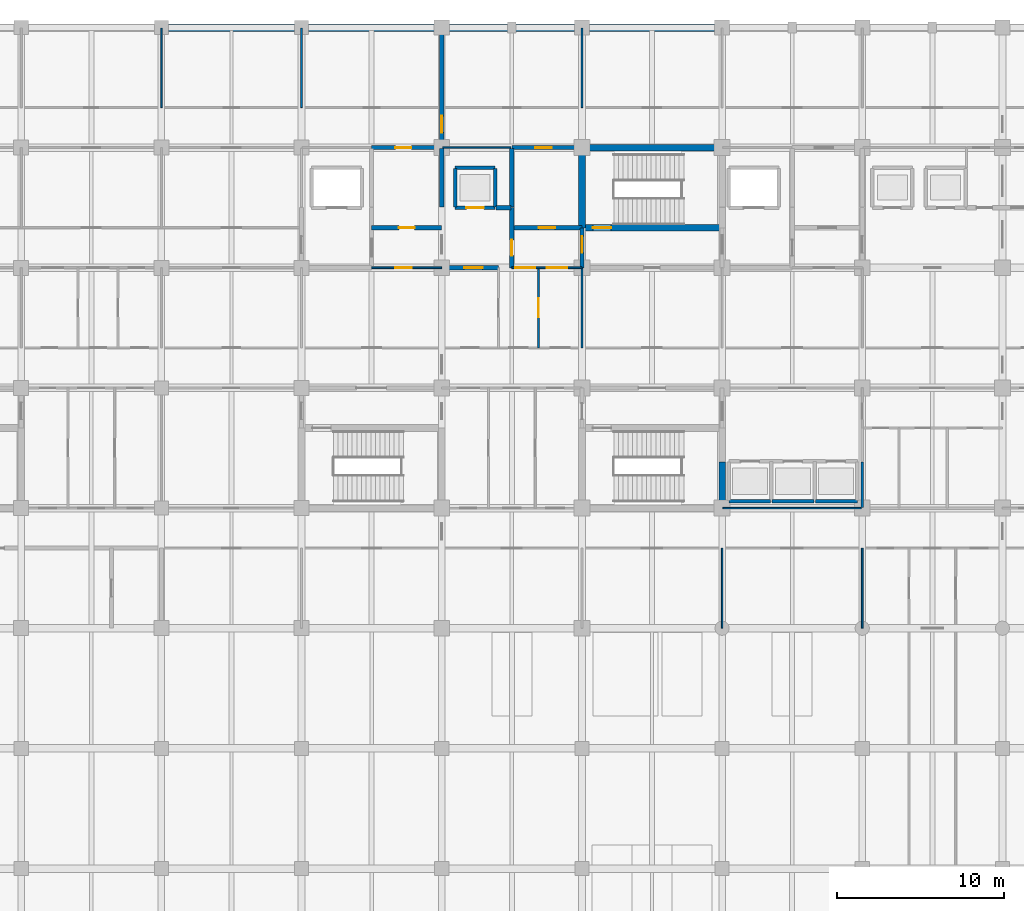
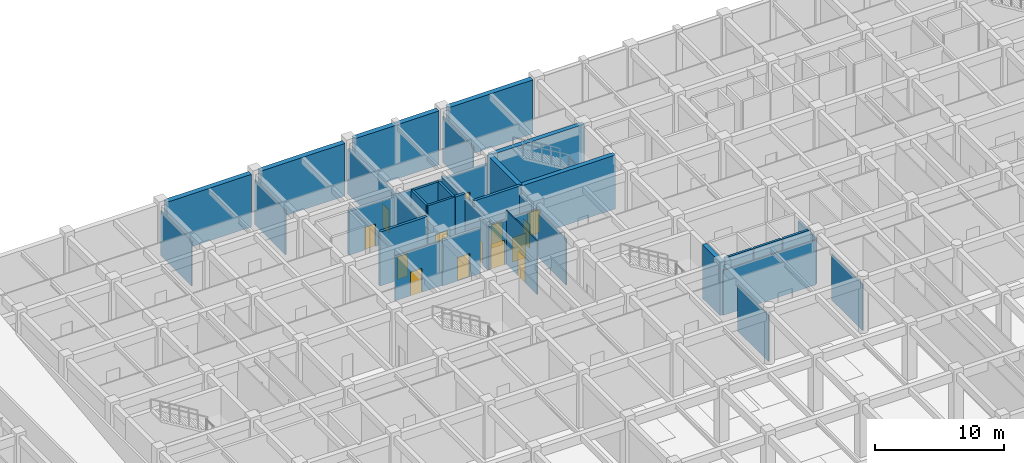
# One storey, part 23 of 48: 38 walls, 14 doors, 14 openings.
"""IFC4 building model written with IfcOpenShell, lengths in metres."""

from ifc_helpers import new_model, si_unit, direction, frame, frame_2d, origin, place, context, subcontext, project, spatial, rectangle, extrude, material, layer, layer_set, type_object, element, fill, save


model = new_model("IFC4")

# Units and contexts
model_context = context("Model", 3, precision=1e-05, world=origin(), true_north=direction((0.0, 1.0)))
body_context = subcontext(model_context, "Body", "Model", "MODEL_VIEW")
ifc_project = project(units=[si_unit("LENGTHUNIT", "METRE"), si_unit("AREAUNIT", "SQUARE_METRE"), si_unit("VOLUMEUNIT", "CUBIC_METRE"), si_unit("PLANEANGLEUNIT", "RADIAN"), si_unit("MASSUNIT", "GRAM", prefix="KILO")], contexts=[model_context])

# Site, building, storey
site_placement = place(None, origin())
site = spatial("IfcSite", under=ifc_project, at=site_placement, CompositionType="ELEMENT")
building_placement = place(site_placement, origin())
building = spatial("IfcBuilding", under=site, at=building_placement, Name="Chengyuan Square Courthouse", CompositionType="ELEMENT")
storey_placement = place(building_placement, frame((0.0, 0.0, -5.39990234375)))
storey = spatial("IfcBuildingStorey", under=building, at=storey_placement, Name="B01", CompositionType="ELEMENT", Elevation=-5.39990234375)

# Wall, opening, door
ifc_material_1 = material(Name="Concrete C40", Category="concrete")
ifc_layer_1 = layer(ifc_material_1, 0.25)
ifc_layer_set_1 = layer_set([ifc_layer_1], Name="Concrete C40")
wall_type_1 = type_object("IfcWallType", Name="WL-FW1", PredefinedType="STANDARD", material=ifc_layer_set_1)
wall_1_placement = place(storey_placement, frame((50.39990234375, 100.800048828125, 0.0), z_axis=(0.0, 0.0, 1.0), x_axis=(1.0, 0.0, 0.0)))
wall_1 = element("IfcWall", 1, at=wall_1_placement, inside=storey, type_object=wall_type_1, Name="Interior Wall WL-B01-I356", PredefinedType="STANDARD", context=body_context, shape_type="SweptSolid", body=[
    extrude(rectangle(XDim=3.400146484375, YDim=0.25, at=frame_2d((1.7001953125, 0.0))), origin(), (0.0, 0.0, 1.0), 4.25),
])
opening_1_placement = place(wall_1_placement, frame((1.347412109375, 0.0, 0.0)))
opening_1 = element("IfcOpeningElement", 2, at=opening_1_placement, cuts=wall_1, Name="Opening DR-432", PredefinedType="OPENING", context=body_context, shape_type="SweptSolid", body=[
    extrude(rectangle(XDim=1.10009765625, YDim=2.199951171875, at=frame_2d((0.550048828125, 1.10009765625))), frame((0.0, 0.136962890625, 0.0), z_axis=(0.0, -1.0, 0.0), x_axis=(1.0, 0.0, 0.0)), (0.0, 0.0, 1.0), 0.27392578125),
])
ifc_material_2 = material(Name="Steel Q235B Fire Door", Category="steel")
door_type_1 = type_object("IfcDoorType", Name="DT-10", OperationType="NOTDEFINED", PredefinedType="DOOR", material=ifc_material_2)
door_1_placement = place(opening_1_placement, origin())
door_1 = element("IfcDoor", 3, at=door_1_placement, inside=storey, type_object=door_type_1, Name="Interior Door DR-432", OperationType="SINGLE_SWING_LEFT", OverallHeight=2.199951171875, OverallWidth=1.10009765625, PredefinedType="DOOR", context=body_context, shape_type="SweptSolid", body=[
    extrude(rectangle(XDim=1.10009765625, YDim=2.199951171875, at=frame_2d((0.550048828125, 1.10009765625))), frame((0.0, 0.02490234375, 0.0), z_axis=(0.0, -1.0, 0.0), x_axis=(1.0, 0.0, 0.0)), (0.0, 0.0, 1.0), 0.050048828125),
])
fill(opening_1, door_1)

wall_2_placement = place(storey_placement, frame((46.199951171875, 103.199951171875, 0.0), z_axis=(0.0, 0.0, 1.0), x_axis=(1.0, 0.0, 0.0)))
wall_2 = element("IfcWall", 4, at=wall_2_placement, inside=storey, type_object=wall_type_1, Name="Interior Wall WL-B01-I371", PredefinedType="STANDARD", context=body_context, shape_type="SweptSolid", body=[
    extrude(rectangle(XDim=4.199951171875, YDim=0.25, at=frame_2d((2.10009765625, 0.0))), origin(), (0.0, 0.0, 1.0), 5.099853515625),
])
opening_2_placement = place(wall_2_placement, frame((1.625, 0.0, 0.0)))
opening_2 = element("IfcOpeningElement", 5, at=opening_2_placement, cuts=wall_2, Name="Opening DR-410", PredefinedType="OPENING", context=body_context, shape_type="SweptSolid", body=[
    extrude(rectangle(XDim=0.949951171875, YDim=2.14990234375, at=frame_2d((0.47509765625, 1.074951171875))), frame((0.0, 0.136962890625, 0.0), z_axis=(0.0, -1.0, 0.0), x_axis=(1.0, 0.0, 0.0)), (0.0, 0.0, 1.0), 0.27392578125),
])
door_type_2 = type_object("IfcDoorType", Name="DT-12", OperationType="NOTDEFINED", PredefinedType="DOOR", material=ifc_material_2)
door_2_placement = place(opening_2_placement, origin())
door_2 = element("IfcDoor", 6, at=door_2_placement, inside=storey, type_object=door_type_2, Name="Interior Door DR-410", OperationType="SINGLE_SWING_RIGHT", OverallHeight=2.14990234375, OverallWidth=0.949951171875, PredefinedType="DOOR", context=body_context, shape_type="SweptSolid", body=[
    extrude(rectangle(XDim=0.949951171875, YDim=2.14990234375, at=frame_2d((0.47509765625, 1.074951171875))), frame((0.0, 0.02490234375, 0.0), z_axis=(0.0, -1.0, 0.0), x_axis=(1.0, 0.0, 0.0)), (0.0, 0.0, 1.0), 0.050048828125),
])
fill(opening_2, door_2)

wall_3_placement = place(storey_placement, frame((54.60009765625, 103.199951171875, 0.0), z_axis=(0.0, 0.0, 1.0), x_axis=(1.0, 0.0, 0.0)))
wall_3 = element("IfcWall", 7, at=wall_3_placement, inside=storey, type_object=wall_type_1, Name="Interior Wall WL-B01-I372", PredefinedType="STANDARD", context=body_context, shape_type="SweptSolid", body=[
    extrude(rectangle(XDim=4.199951171875, YDim=0.25, at=frame_2d((2.10009765625, 0.0))), origin(), (0.0, 0.0, 1.0), 5.099853515625),
])
opening_3_placement = place(wall_3_placement, frame((1.60009765625, 0.0, 0.0)))
opening_3 = element("IfcOpeningElement", 8, at=opening_3_placement, cuts=wall_3, Name="Opening DR-433", PredefinedType="OPENING", context=body_context, shape_type="SweptSolid", body=[
    extrude(rectangle(XDim=1.0, YDim=2.199951171875, at=frame_2d((0.5, 1.10009765625))), frame((0.0, 0.136962890625, 0.0), z_axis=(0.0, -1.0, 0.0), x_axis=(1.0, 0.0, 0.0)), (0.0, 0.0, 1.0), 0.27392578125),
])
door_type_3 = type_object("IfcDoorType", Name="DT-11", OperationType="NOTDEFINED", PredefinedType="DOOR", material=ifc_material_2)
door_3_placement = place(opening_3_placement, origin())
door_3 = element("IfcDoor", 9, at=door_3_placement, inside=storey, type_object=door_type_3, Name="Interior Door DR-433", OperationType="SINGLE_SWING_RIGHT", OverallHeight=2.199951171875, OverallWidth=1.0, PredefinedType="DOOR", context=body_context, shape_type="SweptSolid", body=[
    extrude(rectangle(XDim=1.0, YDim=2.199951171875, at=frame_2d((0.5, 1.10009765625))), frame((0.0, 0.02490234375, 0.0), z_axis=(0.0, -1.0, 0.0), x_axis=(1.0, 0.0, 0.0)), (0.0, 0.0, 1.0), 0.050048828125),
])
fill(opening_3, door_3)

# Wall
wall_4_placement = place(storey_placement, frame((53.64990234375, 104.39990234375, 0.0), z_axis=(0.0, 0.0, 1.0), x_axis=(1.0, 0.0, 0.0)))
element("IfcWall", 10, at=wall_4_placement, inside=storey, type_object=wall_type_1, Name="Interior Wall WL-B01-I383", PredefinedType="STANDARD", context=body_context, shape_type="SweptSolid", body=[
    extrude(rectangle(XDim=0.900146484375, YDim=0.25, at=frame_2d((0.4501953125, 0.0))), origin(), (0.0, 0.0, 1.0), 5.099853515625),
])

# Wall, opening, door
wall_5_placement = place(storey_placement, frame((46.199951171875, 108.0, 0.0), z_axis=(0.0, 0.0, 1.0), x_axis=(1.0, 0.0, 0.0)))
wall_5 = element("IfcWall", 11, at=wall_5_placement, inside=storey, type_object=wall_type_1, Name="Interior Wall WL-B01-I408", PredefinedType="STANDARD", context=body_context, shape_type="SweptSolid", body=[
    extrude(rectangle(XDim=4.199951171875, YDim=0.25, at=frame_2d((2.10009765625, 0.0))), origin(), (0.0, 0.0, 1.0), 4.1298828125),
])
opening_4_placement = place(wall_5_placement, frame((1.427490234375, 0.0, 0.0)))
opening_4 = element("IfcOpeningElement", 12, at=opening_4_placement, cuts=wall_5, Name="Opening DR-413", PredefinedType="OPENING", context=body_context, shape_type="SweptSolid", body=[
    extrude(rectangle(XDim=0.949951171875, YDim=2.14990234375, at=frame_2d((0.47509765625, 1.074951171875))), frame((0.0, 0.136962890625, 0.0), z_axis=(0.0, -1.0, 0.0), x_axis=(1.0, 0.0, 0.0)), (0.0, 0.0, 1.0), 0.27392578125),
])
door_4_placement = place(opening_4_placement, origin())
door_4 = element("IfcDoor", 13, at=door_4_placement, inside=storey, type_object=door_type_2, Name="Interior Door DR-413", OperationType="SINGLE_SWING_LEFT", OverallHeight=2.14990234375, OverallWidth=0.949951171875, PredefinedType="DOOR", context=body_context, shape_type="SweptSolid", body=[
    extrude(rectangle(XDim=0.949951171875, YDim=2.14990234375, at=frame_2d((0.47509765625, 1.074951171875))), frame((0.0, 0.02490234375, 0.0), z_axis=(0.0, -1.0, 0.0), x_axis=(1.0, 0.0, 0.0)), (0.0, 0.0, 1.0), 0.050048828125),
])
fill(opening_4, door_4)

wall_6_placement = place(storey_placement, frame((54.60009765625, 108.0, 0.0), z_axis=(0.0, 0.0, 1.0), x_axis=(1.0, 0.0, 0.0)))
wall_6 = element("IfcWall", 14, at=wall_6_placement, inside=storey, type_object=wall_type_1, Name="Interior Wall WL-B01-I410", PredefinedType="STANDARD", context=body_context, shape_type="SweptSolid", body=[
    extrude(rectangle(XDim=4.199951171875, YDim=0.25, at=frame_2d((2.10009765625, 0.0))), origin(), (0.0, 0.0, 1.0), 4.25),
])
opening_5_placement = place(wall_6_placement, frame((1.402587890625, 0.0, 0.0)))
opening_5 = element("IfcOpeningElement", 15, at=opening_5_placement, cuts=wall_6, Name="Opening DR-436", PredefinedType="OPENING", context=body_context, shape_type="SweptSolid", body=[
    extrude(rectangle(XDim=1.0, YDim=2.199951171875, at=frame_2d((0.5, 1.10009765625))), frame((0.0, 0.136962890625, 0.0), z_axis=(0.0, -1.0, 0.0), x_axis=(1.0, 0.0, 0.0)), (0.0, 0.0, 1.0), 0.27392578125),
])
door_5_placement = place(opening_5_placement, origin())
door_5 = element("IfcDoor", 16, at=door_5_placement, inside=storey, type_object=door_type_3, Name="Interior Door DR-436", OperationType="SINGLE_SWING_LEFT", OverallHeight=2.199951171875, OverallWidth=1.0, PredefinedType="DOOR", context=body_context, shape_type="SweptSolid", body=[
    extrude(rectangle(XDim=1.0, YDim=2.199951171875, at=frame_2d((0.5, 1.10009765625))), frame((0.0, 0.02490234375, 0.0), z_axis=(0.0, -1.0, 0.0), x_axis=(1.0, 0.0, 0.0)), (0.0, 0.0, 1.0), 0.050048828125),
])
fill(opening_5, door_5)

# Wall
wall_7_placement = place(storey_placement, frame((50.39990234375, 104.449951171875, 0.0), z_axis=(0.0, 0.0, 1.0), x_axis=(0.0, 1.0, 0.0)))
element("IfcWall", 17, at=wall_7_placement, inside=storey, type_object=wall_type_1, Name="Interior Wall WL-B01-I474", PredefinedType="STANDARD", context=body_context, shape_type="SweptSolid", body=[
    extrude(rectangle(XDim=3.5, YDim=0.25, at=frame_2d((1.75, 0.0))), origin(), (0.0, 0.0, 1.0), 4.349853515625),
])

# Wall, opening, door
wall_8_placement = place(storey_placement, frame((50.39990234375, 108.0, 0.0), z_axis=(0.0, 0.0, 1.0), x_axis=(0.0, 1.0, 0.0)))
wall_8 = element("IfcWall", 18, at=wall_8_placement, inside=storey, type_object=wall_type_1, Name="Interior Wall WL-B01-I475", PredefinedType="STANDARD", context=body_context, shape_type="SweptSolid", body=[
    extrude(rectangle(XDim=7.159912109375, YDim=0.25, at=frame_2d((3.580078125, 0.0))), origin(), (0.0, 0.0, 1.0), 4.22998046875),
])
opening_6_placement = place(wall_8_placement, frame((0.8974609375, 0.0, 0.0)))
opening_6 = element("IfcOpeningElement", 19, at=opening_6_placement, cuts=wall_8, Name="Opening DR-592", PredefinedType="OPENING", context=body_context, shape_type="SweptSolid", body=[
    extrude(rectangle(XDim=1.0, YDim=2.199951171875, at=frame_2d((0.5, 1.10009765625))), frame((0.0, 0.136962890625, 0.0), z_axis=(0.0, -1.0, 0.0), x_axis=(1.0, 0.0, 0.0)), (0.0, 0.0, 1.0), 0.27392578125),
])
door_6_placement = place(opening_6_placement, origin())
door_6 = element("IfcDoor", 20, at=door_6_placement, inside=storey, type_object=door_type_3, Name="Interior Door DR-592", OperationType="SINGLE_SWING_LEFT", OverallHeight=2.199951171875, OverallWidth=1.0, PredefinedType="DOOR", context=body_context, shape_type="SweptSolid", body=[
    extrude(rectangle(XDim=1.0, YDim=2.199951171875, at=frame_2d((0.5, 1.10009765625))), frame((0.0, 0.02490234375, 0.0), z_axis=(0.0, -1.0, 0.0), x_axis=(1.0, 0.0, 0.0)), (0.0, 0.0, 1.0), 0.050048828125),
])
fill(opening_6, door_6)

wall_9_placement = place(storey_placement, frame((54.60009765625, 100.800048828125, 0.0), z_axis=(0.0, 0.0, 1.0), x_axis=(0.0, 1.0, 0.0)))
wall_9 = element("IfcWall", 21, at=wall_9_placement, inside=storey, type_object=wall_type_1, Name="Interior Wall WL-B01-I480", PredefinedType="STANDARD", context=body_context, shape_type="SweptSolid", body=[
    extrude(rectangle(XDim=3.599853515625, YDim=0.25, at=frame_2d((1.7998046875, 0.0))), origin(), (0.0, 0.0, 1.0), 4.5498046875),
])
opening_7_placement = place(wall_9_placement, frame((0.72509765625, 0.0, 0.0)))
opening_7 = element("IfcOpeningElement", 22, at=opening_7_placement, cuts=wall_9, Name="Opening DR-431", PredefinedType="OPENING", context=body_context, shape_type="SweptSolid", body=[
    extrude(rectangle(XDim=0.949951171875, YDim=2.14990234375, at=frame_2d((0.47509765625, 1.074951171875))), frame((0.0, 0.136962890625, 0.0), z_axis=(0.0, -1.0, 0.0), x_axis=(1.0, 0.0, 0.0)), (0.0, 0.0, 1.0), 0.27392578125),
])
door_7_placement = place(opening_7_placement, origin())
door_7 = element("IfcDoor", 23, at=door_7_placement, inside=storey, type_object=door_type_2, Name="Interior Door DR-431", OperationType="SINGLE_SWING_RIGHT", OverallHeight=2.14990234375, OverallWidth=0.949951171875, PredefinedType="DOOR", context=body_context, shape_type="SweptSolid", body=[
    extrude(rectangle(XDim=0.949951171875, YDim=2.14990234375, at=frame_2d((0.47509765625, 1.074951171875))), frame((0.0, 0.02490234375, 0.0), z_axis=(0.0, -1.0, 0.0), x_axis=(1.0, 0.0, 0.0)), (0.0, 0.0, 1.0), 0.050048828125),
])
fill(opening_7, door_7)

# Wall
wall_10_placement = place(storey_placement, frame((54.60009765625, 104.449951171875, 0.0), z_axis=(0.0, 0.0, 1.0), x_axis=(0.0, 1.0, 0.0)))
element("IfcWall", 24, at=wall_10_placement, inside=storey, type_object=wall_type_1, Name="Interior Wall WL-B01-I481", PredefinedType="STANDARD", context=body_context, shape_type="SweptSolid", body=[
    extrude(rectangle(XDim=3.5, YDim=0.25, at=frame_2d((1.75, 0.0))), origin(), (0.0, 0.0, 1.0), 4.5498046875),
])

# Wall, opening, door
wall_11_placement = place(storey_placement, frame((58.800048828125, 100.800048828125, 0.0), z_axis=(0.0, 0.0, 1.0), x_axis=(0.0, 1.0, 0.0)))
wall_11 = element("IfcWall", 25, at=wall_11_placement, inside=storey, type_object=wall_type_1, Name="Interior Wall WL-B01-I488", PredefinedType="STANDARD", context=body_context, shape_type="SweptSolid", body=[
    extrude(rectangle(XDim=2.39990234375, YDim=0.25, at=frame_2d((1.199951171875, 0.0))), origin(), (0.0, 0.0, 1.0), 4.349853515625),
])
opening_8_placement = place(wall_11_placement, frame((0.8974609375, 0.0, 0.0)))
opening_8 = element("IfcOpeningElement", 26, at=opening_8_placement, cuts=wall_11, Name="Opening DR-346", PredefinedType="OPENING", context=body_context, shape_type="SweptSolid", body=[
    extrude(rectangle(XDim=1.0, YDim=2.199951171875, at=frame_2d((0.5, 1.10009765625))), frame((0.0, 0.136962890625, 0.0), z_axis=(0.0, -1.0, 0.0), x_axis=(1.0, 0.0, 0.0)), (0.0, 0.0, 1.0), 0.27392578125),
])
door_8_placement = place(opening_8_placement, origin())
door_8 = element("IfcDoor", 27, at=door_8_placement, inside=storey, type_object=door_type_3, Name="Interior Door DR-346", OperationType="SINGLE_SWING_LEFT", OverallHeight=2.199951171875, OverallWidth=1.0, PredefinedType="DOOR", context=body_context, shape_type="SweptSolid", body=[
    extrude(rectangle(XDim=1.0, YDim=2.199951171875, at=frame_2d((0.5, 1.10009765625))), frame((0.0, 0.02490234375, 0.0), z_axis=(0.0, -1.0, 0.0), x_axis=(1.0, 0.0, 0.0)), (0.0, 0.0, 1.0), 0.050048828125),
])
fill(opening_8, door_8)

# Walls
ifc_material_3 = material(Name="Moisture-Resistant Masonry Wet-Room Partition", Category="masonry")
ifc_layer_2 = layer(ifc_material_3, 0.139892578125)
ifc_layer_set_2 = layer_set([ifc_layer_2], Name="Moisture-Resistant Masonry Wet-Room Partition")
wall_type_2 = type_object("IfcWallType", Name="WL-PT4", PredefinedType="STANDARD", material=ifc_layer_set_2)
wall_12_placement = place(storey_placement, frame((75.60009765625, 86.449951171875, 0.0), z_axis=(0.0, 0.0, 1.0), x_axis=(0.0, 1.0, 0.0)))
element("IfcWall", 28, at=wall_12_placement, inside=storey, type_object=wall_type_2, Name="Interior Wall WL-B01-I509", PredefinedType="STANDARD", context=body_context, shape_type="SweptSolid", body=[
    extrude(rectangle(XDim=2.699951171875, YDim=0.139892578125, at=frame_2d((1.35009765625, 0.0))), origin(), (0.0, 0.0, 1.0), 4.349853515625),
])
ifc_material_4 = material(Name="Gypsum Plasterboard Acoustic Stud Partition")
ifc_layer_3 = layer(ifc_material_4, 0.10009765625)
ifc_layer_set_3 = layer_set([ifc_layer_3], Name="Gypsum Plasterboard Acoustic Stud Partition")
wall_type_3 = type_object("IfcWallType", Name="WL-PT6", PredefinedType="STANDARD", material=ifc_layer_set_3)
wall_13_placement = place(storey_placement, frame((67.25, 86.39990234375, 0.0), z_axis=(0.0, 0.0, 1.0), x_axis=(1.0, 0.0, 0.0)))
element("IfcWall", 29, at=wall_13_placement, inside=storey, type_object=wall_type_3, Name="Interior Wall WL-B01-I311", PredefinedType="STANDARD", context=body_context, shape_type="SweptSolid", body=[
    extrude(rectangle(XDim=8.300048828125, YDim=0.10009765625, at=frame_2d((4.14990234375, 0.0))), origin(), (0.0, 0.0, 1.0), 4.25),
])

# Wall, opening, door
wall_14_placement = place(storey_placement, frame((46.199951171875, 100.800048828125, 0.0), z_axis=(0.0, 0.0, 1.0), x_axis=(1.0, 0.0, 0.0)))
wall_14 = element("IfcWall", 30, at=wall_14_placement, inside=storey, type_object=wall_type_3, Name="Interior Wall WL-B01-I355", PredefinedType="STANDARD", context=body_context, shape_type="SweptSolid", body=[
    extrude(rectangle(XDim=4.199951171875, YDim=0.10009765625, at=frame_2d((2.10009765625, 0.0))), origin(), (0.0, 0.0, 1.0), 4.25),
])
opening_9_placement = place(wall_14_placement, frame((1.402587890625, 0.0, 0.0)))
opening_9 = element("IfcOpeningElement", 31, at=opening_9_placement, cuts=wall_14, Name="Opening DR-412", PredefinedType="OPENING", context=body_context, shape_type="SweptSolid", body=[
    extrude(rectangle(XDim=1.0, YDim=2.25, at=frame_2d((0.5, 1.125))), frame((0.0, 0.06201171875, 0.0), z_axis=(0.0, -1.0, 0.0), x_axis=(1.0, 0.0, 0.0)), (0.0, 0.0, 1.0), 0.1240234375),
])
ifc_material_5 = material(Name="Acoustic Solid-Core Timber Door", Category="wood")
door_type_4 = type_object("IfcDoorType", Name="DT-31", OperationType="NOTDEFINED", PredefinedType="DOOR", material=ifc_material_5)
door_9_placement = place(opening_9_placement, origin())
door_9 = element("IfcDoor", 32, at=door_9_placement, inside=storey, type_object=door_type_4, Name="Interior Door DR-412", OperationType="SINGLE_SWING_RIGHT", OverallHeight=2.25, OverallWidth=1.0, PredefinedType="DOOR", context=body_context, shape_type="SweptSolid", body=[
    extrude(rectangle(XDim=1.0, YDim=2.25, at=frame_2d((0.5, 1.125))), frame((0.0, 0.02490234375, 0.0), z_axis=(0.0, -1.0, 0.0), x_axis=(1.0, 0.0, 0.0)), (0.0, 0.0, 1.0), 0.050048828125),
])
fill(opening_9, door_9)

# Wall, openings, doors
wall_15_placement = place(storey_placement, frame((54.60009765625, 100.800048828125, 0.0), z_axis=(0.0, 0.0, 1.0), x_axis=(1.0, 0.0, 0.0)))
wall_15 = element("IfcWall", 33, at=wall_15_placement, inside=storey, type_object=wall_type_3, Name="Interior Wall WL-B01-I357", PredefinedType="STANDARD", context=body_context, shape_type="SweptSolid", body=[
    extrude(rectangle(XDim=4.199951171875, YDim=0.10009765625, at=frame_2d((2.10009765625, 0.0))), origin(), (0.0, 0.0, 1.0), 4.25),
])
opening_10_placement = place(wall_15_placement, frame((0.199951171875, 0.0, 0.0)))
opening_10 = element("IfcOpeningElement", 34, at=opening_10_placement, cuts=wall_15, Name="Opening DR-434", PredefinedType="OPENING", context=body_context, shape_type="SweptSolid", body=[
    extrude(rectangle(XDim=1.199951171875, YDim=2.35009765625, at=frame_2d((0.60009765625, 1.175048828125))), frame((0.0, 0.06201171875, 0.0), z_axis=(0.0, -1.0, 0.0), x_axis=(1.0, 0.0, 0.0)), (0.0, 0.0, 1.0), 0.1240234375),
])
opening_11_placement = place(wall_15_placement, frame((2.08251953125, 0.0, 0.0)))
opening_11 = element("IfcOpeningElement", 35, at=opening_11_placement, cuts=wall_15, Name="Opening DR-435", PredefinedType="OPENING", context=body_context, shape_type="SweptSolid", body=[
    extrude(rectangle(XDim=1.239990234375, YDim=2.300048828125, at=frame_2d((0.6201171875, 1.14990234375))), frame((0.0, 0.06201171875, 0.0), z_axis=(0.0, -1.0, 0.0), x_axis=(1.0, 0.0, 0.0)), (0.0, 0.0, 1.0), 0.1240234375),
])
door_type_5 = type_object("IfcDoorType", Name="DT-36", OperationType="NOTDEFINED", PredefinedType="DOOR", material=ifc_material_5)
door_10_placement = place(opening_10_placement, origin())
door_10 = element("IfcDoor", 36, at=door_10_placement, inside=storey, type_object=door_type_5, Name="Interior Door DR-434", OperationType="SINGLE_SWING_LEFT", OverallHeight=2.35009765625, OverallWidth=1.199951171875, PredefinedType="DOOR", context=body_context, shape_type="SweptSolid", body=[
    extrude(rectangle(XDim=1.199951171875, YDim=2.35009765625, at=frame_2d((0.60009765625, 1.175048828125))), frame((0.0, 0.02490234375, 0.0), z_axis=(0.0, -1.0, 0.0), x_axis=(1.0, 0.0, 0.0)), (0.0, 0.0, 1.0), 0.050048828125),
])
fill(opening_10, door_10)
door_type_6 = type_object("IfcDoorType", Name="DT-37", OperationType="NOTDEFINED", PredefinedType="DOOR", material=ifc_material_5)
door_11_placement = place(opening_11_placement, origin())
door_11 = element("IfcDoor", 37, at=door_11_placement, inside=storey, type_object=door_type_6, Name="Interior Door DR-435", OperationType="SINGLE_SWING_RIGHT", OverallHeight=2.300048828125, OverallWidth=1.239990234375, PredefinedType="DOOR", context=body_context, shape_type="SweptSolid", body=[
    extrude(rectangle(XDim=1.239990234375, YDim=2.300048828125, at=frame_2d((0.6201171875, 1.14990234375))), frame((0.0, 0.02490234375, 0.0), z_axis=(0.0, -1.0, 0.0), x_axis=(1.0, 0.0, 0.0)), (0.0, 0.0, 1.0), 0.050048828125),
])
fill(opening_11, door_11)

# Walls
wall_16_placement = place(storey_placement, frame((50.449951171875, 108.0, 0.0), z_axis=(0.0, 0.0, 1.0), x_axis=(1.0, 0.0, 0.0)))
element("IfcWall", 38, at=wall_16_placement, inside=storey, type_object=wall_type_3, Name="Interior Wall WL-B01-I409", PredefinedType="STANDARD", context=body_context, shape_type="SweptSolid", body=[
    extrude(rectangle(XDim=4.10009765625, YDim=0.10009765625, at=frame_2d((2.050048828125, 0.0))), origin(), (0.0, 0.0, 1.0), 4.25),
])
for number, where, z_axis, x_axis, name in (
    (39, (33.60009765625, 110.39990234375, 0.0), (0.0, 0.0, 1.0), (0.0, 1.0, 0.0), "Interior Wall WL-B01-I459"),
    (40, (42.0, 110.39990234375, 0.0), (0.0, 0.0, 1.0), (0.0, 1.0, 0.0), "Interior Wall WL-B01-I466"),
):
    element("IfcWall", number, at=place(storey_placement, frame(where, z_axis=z_axis, x_axis=x_axis)), inside=storey, type_object=wall_type_3, Name=name, PredefinedType="STANDARD", context=body_context, shape_type="SweptSolid", body=[
        extrude(rectangle(XDim=4.760009765625, YDim=0.10009765625, at=frame_2d((2.3798828125, 0.0))), origin(), (0.0, 0.0, 1.0), 4.22998046875),
    ])

# Wall, opening, door
wall_17_placement = place(storey_placement, frame((56.199951171875, 96.0, 0.0), z_axis=(0.0, 0.0, 1.0), x_axis=(0.0, 1.0, 0.0)))
wall_17 = element("IfcWall", 41, at=wall_17_placement, inside=storey, type_object=wall_type_3, Name="Interior Wall WL-B01-I483", PredefinedType="STANDARD", context=body_context, shape_type="SweptSolid", body=[
    extrude(rectangle(XDim=4.800048828125, YDim=0.10009765625, at=frame_2d((2.39990234375, 0.0))), origin(), (0.0, 0.0, 1.0), 5.099853515625),
])
opening_12_placement = place(wall_17_placement, frame((1.830078125, 0.0, 0.0)))
opening_12 = element("IfcOpeningElement", 42, at=opening_12_placement, cuts=wall_17, Name="Opening DR-543", PredefinedType="OPENING", context=body_context, shape_type="SweptSolid", body=[
    extrude(rectangle(XDim=1.139892578125, YDim=2.39990234375, at=frame_2d((0.56982421875, 1.199951171875))), frame((0.0, 0.06201171875, 0.0), z_axis=(0.0, -1.0, 0.0), x_axis=(1.0, 0.0, 0.0)), (0.0, 0.0, 1.0), 0.1240234375),
])
door_type_7 = type_object("IfcDoorType", Name="DT-43", OperationType="NOTDEFINED", PredefinedType="DOOR", material=ifc_material_5)
door_12_placement = place(opening_12_placement, origin())
door_12 = element("IfcDoor", 43, at=door_12_placement, inside=storey, type_object=door_type_7, Name="Interior Door DR-543", OperationType="SINGLE_SWING_RIGHT", OverallHeight=2.39990234375, OverallWidth=1.139892578125, PredefinedType="DOOR", context=body_context, shape_type="SweptSolid", body=[
    extrude(rectangle(XDim=1.139892578125, YDim=2.39990234375, at=frame_2d((0.56982421875, 1.199951171875))), frame((0.0, 0.02490234375, 0.0), z_axis=(0.0, -1.0, 0.0), x_axis=(1.0, 0.0, 0.0)), (0.0, 0.0, 1.0), 0.050048828125),
])
fill(opening_12, door_12)

# Walls
wall_18_placement = place(storey_placement, frame((58.800048828125, 96.0, 0.0), z_axis=(0.0, 0.0, 1.0), x_axis=(0.0, 1.0, 0.0)))
element("IfcWall", 44, at=wall_18_placement, inside=storey, type_object=wall_type_3, Name="Interior Wall WL-B01-I487", PredefinedType="STANDARD", context=body_context, shape_type="SweptSolid", body=[
    extrude(rectangle(XDim=4.800048828125, YDim=0.10009765625, at=frame_2d((2.39990234375, 0.0))), origin(), (0.0, 0.0, 1.0), 4.349853515625),
])
wall_19_placement = place(storey_placement, frame((58.800048828125, 110.39990234375, 0.0), z_axis=(0.0, 0.0, 1.0), x_axis=(0.0, 1.0, 0.0)))
element("IfcWall", 45, at=wall_19_placement, inside=storey, type_object=wall_type_3, Name="Interior Wall WL-B01-I490", PredefinedType="STANDARD", context=body_context, shape_type="SweptSolid", body=[
    extrude(rectangle(XDim=4.760009765625, YDim=0.10009765625, at=frame_2d((2.3798828125, 0.0))), origin(), (0.0, 0.0, 1.0), 4.349853515625),
])
for number, where, z_axis, x_axis, name in (
    (46, (67.199951171875, 79.199951171875, 0.0), (0.0, 0.0, 1.0), (0.0, 1.0, 0.0), "Interior Wall WL-B01-I491"),
    (47, (75.60009765625, 79.199951171875, 0.0), (0.0, 0.0, 1.0), (0.0, 1.0, 0.0), "Interior Wall WL-B01-I508"),
):
    element("IfcWall", number, at=place(storey_placement, frame(where, z_axis=z_axis, x_axis=x_axis)), inside=storey, type_object=wall_type_3, Name=name, PredefinedType="STANDARD", context=body_context, shape_type="SweptSolid", body=[
        extrude(rectangle(XDim=4.800048828125, YDim=0.10009765625, at=frame_2d((2.39990234375, 0.0))), origin(), (0.0, 0.0, 1.0), 4.349853515625),
    ])
ifc_layer_4 = layer(ifc_material_1, 0.449951171875)
ifc_layer_set_4 = layer_set([ifc_layer_4], Name="Concrete C40")
wall_type_4 = type_object("IfcWallType", Name="WL-RW2", PredefinedType="USERDEFINED", material=ifc_layer_set_4)
wall_20_placement = place(storey_placement, frame((34.02001953125, 115.199951171875, 0.0), z_axis=(0.0, 0.0, 1.0), x_axis=(1.0, 0.0, 0.0)))
element("IfcWall", 48, at=wall_20_placement, inside=storey, type_object=wall_type_4, Name="Basement Retaining Wall WL-B01-E098", ObjectType="RETAININGWALL", PredefinedType="USERDEFINED", context=body_context, shape_type="SweptSolid", body=[
    extrude(rectangle(XDim=7.56005859375, YDim=0.449951171875, at=frame_2d((3.780029296875, 0.0))), origin(), (0.0, 0.0, 1.0), 4.97998046875),
])
wall_21_placement = place(storey_placement, frame((42.419921875, 115.199951171875, 0.0), z_axis=(0.0, 0.0, 1.0), x_axis=(1.0, 0.0, 0.0)))
element("IfcWall", 49, at=wall_21_placement, inside=storey, type_object=wall_type_4, Name="Basement Retaining Wall WL-B01-E100", ObjectType="RETAININGWALL", PredefinedType="USERDEFINED", context=body_context, shape_type="SweptSolid", body=[
    extrude(rectangle(XDim=7.53515625, YDim=0.449951171875, at=frame_2d((3.767578125, 0.0))), origin(), (0.0, 0.0, 1.0), 4.97998046875),
])
wall_22_placement = place(storey_placement, frame((50.844970703125, 115.199951171875, 0.0), z_axis=(0.0, 0.0, 1.0), x_axis=(1.0, 0.0, 0.0)))
element("IfcWall", 50, at=wall_22_placement, inside=storey, type_object=wall_type_4, Name="Basement Retaining Wall WL-B01-E102", ObjectType="RETAININGWALL", PredefinedType="USERDEFINED", context=body_context, shape_type="SweptSolid", body=[
    extrude(rectangle(XDim=7.510009765625, YDim=0.449951171875, at=frame_2d((3.7548828125, 0.0))), origin(), (0.0, 0.0, 1.0), 5.099853515625),
])
wall_23_placement = place(storey_placement, frame((59.2451171875, 115.199951171875, 0.0), z_axis=(0.0, 0.0, 1.0), x_axis=(1.0, 0.0, 0.0)))
element("IfcWall", 51, at=wall_23_placement, inside=storey, type_object=wall_type_4, Name="Basement Retaining Wall WL-B01-E104", ObjectType="RETAININGWALL", PredefinedType="USERDEFINED", context=body_context, shape_type="SweptSolid", body=[
    extrude(rectangle(XDim=7.509765625, YDim=0.449951171875, at=frame_2d((3.7548828125, 0.0))), origin(), (0.0, 0.0, 1.0), 5.099853515625),
])
ifc_material_6 = material(Name="Reinforced Masonry Shaft Enclosure", Category="masonry")
ifc_layer_5 = layer(ifc_material_6, 0.199951171875)
ifc_layer_set_5 = layer_set([ifc_layer_5], Name="Reinforced Masonry Shaft Enclosure")
wall_type_5 = type_object("IfcWallType", Name="WL-SH1", PredefinedType="STANDARD", material=ifc_layer_set_5)
for number, where, z_axis, x_axis, name in (
    (52, (67.60009765625, 86.800048828125, 0.0), (0.0, 0.0, 1.0), (1.0, 0.0, 0.0), "Interior Wall WL-B01-I321"),
    (53, (70.199951171875, 86.800048828125, 0.0), (0.0, 0.0, 1.0), (1.0, 0.0, 0.0), "Interior Wall WL-B01-I322"),
    (54, (72.800048828125, 86.800048828125, 0.0), (0.0, 0.0, 1.0), (1.0, 0.0, 0.0), "Interior Wall WL-B01-I323"),
):
    element("IfcWall", number, at=place(storey_placement, frame(where, z_axis=z_axis, x_axis=x_axis)), inside=storey, type_object=wall_type_5, Name=name, PredefinedType="STANDARD", context=body_context, shape_type="SweptSolid", body=[
        extrude(rectangle(XDim=2.5, YDim=0.199951171875, at=frame_2d((1.25, 0.0))), origin(), (0.0, 0.0, 1.0), 5.099853515625),
    ])

# Wall, opening, door
wall_24_placement = place(storey_placement, frame((51.199951171875, 104.39990234375, 0.0), z_axis=(0.0, 0.0, 1.0), x_axis=(1.0, 0.0, 0.0)))
wall_24 = element("IfcWall", 55, at=wall_24_placement, inside=storey, type_object=wall_type_5, Name="Interior Wall WL-B01-I382", PredefinedType="STANDARD", context=body_context, shape_type="SweptSolid", body=[
    extrude(rectangle(XDim=2.400146484375, YDim=0.199951171875, at=frame_2d((1.2001953125, 0.0))), origin(), (0.0, 0.0, 1.0), 5.099853515625),
])
opening_13_placement = place(wall_24_placement, frame((0.675048828125, 0.0, 0.0)))
opening_13 = element("IfcOpeningElement", 56, at=opening_13_placement, cuts=wall_24, Name="Opening LD-019", PredefinedType="OPENING", context=body_context, shape_type="SweptSolid", body=[
    extrude(rectangle(XDim=1.050048828125, YDim=2.14990234375, at=frame_2d((0.52490234375, 1.074951171875))), frame((0.0, 0.112060546875, 0.0), z_axis=(0.0, -1.0, 0.0), x_axis=(1.0, 0.0, 0.0)), (0.0, 0.0, 1.0), 0.223876953125),
])
ifc_material_7 = material(Name="Stainless Steel S30408 Lift Landing Door", Category="steel")
door_type_8 = type_object("IfcDoorType", Name="DT-08", OperationType="DOUBLE_DOOR_SLIDING", PredefinedType="DOOR", material=ifc_material_7)
door_13_placement = place(opening_13_placement, origin())
door_13 = element("IfcDoor", 57, at=door_13_placement, inside=storey, type_object=door_type_8, Name="Lift Landing Door LF-C1 B01", OperationType="DOUBLE_DOOR_SLIDING", OverallHeight=2.14990234375, OverallWidth=1.050048828125, PredefinedType="DOOR", context=body_context, shape_type="SweptSolid", body=[
    extrude(rectangle(XDim=1.050048828125, YDim=2.14990234375, at=frame_2d((0.52490234375, 1.074951171875))), frame((0.0, 0.02490234375, 0.0), z_axis=(0.0, -1.0, 0.0), x_axis=(1.0, 0.0, 0.0)), (0.0, 0.0, 1.0), 0.050048828125),
])
fill(opening_13, door_13)

# Walls
wall_25_placement = place(storey_placement, frame((51.199951171875, 106.800048828125, 0.0), z_axis=(0.0, 0.0, 1.0), x_axis=(1.0, 0.0, 0.0)))
element("IfcWall", 58, at=wall_25_placement, inside=storey, type_object=wall_type_5, Name="Interior Wall WL-B01-I395", PredefinedType="STANDARD", context=body_context, shape_type="SweptSolid", body=[
    extrude(rectangle(XDim=2.400146484375, YDim=0.199951171875, at=frame_2d((1.2001953125, 0.0))), origin(), (0.0, 0.0, 1.0), 5.099853515625),
])
for number, where, z_axis, x_axis, name in (
    (59, (51.199951171875, 104.449951171875, 0.0), (0.0, 0.0, 1.0), (0.0, 1.0, 0.0), "Interior Wall WL-B01-I476"),
    (60, (53.60009765625, 104.449951171875, 0.0), (0.0, 0.0, 1.0), (0.0, 1.0, 0.0), "Interior Wall WL-B01-I478"),
):
    element("IfcWall", number, at=place(storey_placement, frame(where, z_axis=z_axis, x_axis=x_axis)), inside=storey, type_object=wall_type_5, Name=name, PredefinedType="STANDARD", context=body_context, shape_type="SweptSolid", body=[
        extrude(rectangle(XDim=2.300048828125, YDim=0.199951171875, at=frame_2d((1.14990234375, 0.0))), origin(), (0.0, 0.0, 1.0), 5.099853515625),
    ])

# Wall, opening, door
ifc_material_8 = material(Name="Concrete C50", Category="concrete")
ifc_layer_6 = layer(ifc_material_8, 0.39990234375)
ifc_layer_set_6 = layer_set([ifc_layer_6], Name="Concrete C50")
wall_type_6 = type_object("IfcWallType", Name="WL-SW1", PredefinedType="SHEAR", material=ifc_layer_set_6)
wall_26_placement = place(storey_placement, frame((58.800048828125, 103.199951171875, 0.0), z_axis=(0.0, 0.0, 1.0), x_axis=(1.0, 0.0, 0.0)))
wall_26 = element("IfcWall", 61, at=wall_26_placement, inside=storey, type_object=wall_type_6, Name="Interior Wall WL-B01-I373", PredefinedType="SHEAR", context=body_context, shape_type="SweptSolid", body=[
    extrude(rectangle(XDim=8.39990234375, YDim=0.39990234375, at=frame_2d((4.199951171875, 0.0))), origin(), (0.0, 0.0, 1.0), 5.099853515625),
])
opening_14_placement = place(wall_26_placement, frame((0.64990234375, 0.0, 0.0)))
opening_14 = element("IfcOpeningElement", 62, at=opening_14_placement, cuts=wall_26, Name="Opening DR-335", PredefinedType="OPENING", context=body_context, shape_type="SweptSolid", body=[
    extrude(rectangle(XDim=1.10009765625, YDim=2.199951171875, at=frame_2d((0.550048828125, 1.10009765625))), frame((0.0, 0.2119140625, 0.0), z_axis=(0.0, -1.0, 0.0), x_axis=(1.0, 0.0, 0.0)), (0.0, 0.0, 1.0), 0.423828125),
])
door_14_placement = place(opening_14_placement, origin())
door_14 = element("IfcDoor", 63, at=door_14_placement, inside=storey, type_object=door_type_1, Name="Smoke-Proof Stairwell Fire Door ST-1 DR-335", OperationType="SINGLE_SWING_RIGHT", OverallHeight=2.199951171875, OverallWidth=1.10009765625, PredefinedType="DOOR", context=body_context, shape_type="SweptSolid", body=[
    extrude(rectangle(XDim=1.10009765625, YDim=2.199951171875, at=frame_2d((0.550048828125, 1.10009765625))), frame((0.0, 0.02490234375, 0.0), z_axis=(0.0, -1.0, 0.0), x_axis=(1.0, 0.0, 0.0)), (0.0, 0.0, 1.0), 0.050048828125),
])
fill(opening_14, door_14)

# Walls
wall_27_placement = place(storey_placement, frame((58.800048828125, 108.0, 0.0), z_axis=(0.0, 0.0, 1.0), x_axis=(1.0, 0.0, 0.0)))
element("IfcWall", 64, at=wall_27_placement, inside=storey, type_object=wall_type_6, Name="Interior Wall WL-B01-I411", PredefinedType="SHEAR", context=body_context, shape_type="SweptSolid", body=[
    extrude(rectangle(XDim=8.39990234375, YDim=0.39990234375, at=frame_2d((4.199951171875, 0.0))), origin(), (0.0, 0.0, 1.0), 5.099853515625),
])
wall_28_placement = place(storey_placement, frame((58.800048828125, 103.199951171875, 0.0), z_axis=(0.0, 0.0, 1.0), x_axis=(0.0, 1.0, 0.0)))
element("IfcWall", 65, at=wall_28_placement, inside=storey, type_object=wall_type_6, Name="Interior Wall WL-B01-I489", PredefinedType="SHEAR", context=body_context, shape_type="SweptSolid", body=[
    extrude(rectangle(XDim=4.800048828125, YDim=0.39990234375, at=frame_2d((2.39990234375, 0.0))), origin(), (0.0, 0.0, 1.0), 5.099853515625),
])
wall_29_placement = place(storey_placement, frame((67.199951171875, 86.449951171875, 0.0), z_axis=(0.0, 0.0, 1.0), x_axis=(0.0, 1.0, 0.0)))
element("IfcWall", 66, at=wall_29_placement, inside=storey, type_object=wall_type_6, Name="Interior Wall WL-B01-I492", PredefinedType="SHEAR", context=body_context, shape_type="SweptSolid", body=[
    extrude(rectangle(XDim=2.699951171875, YDim=0.39990234375, at=frame_2d((1.35009765625, 0.0))), origin(), (0.0, 0.0, 1.0), 5.099853515625),
])

save(model, "model.ifc")
